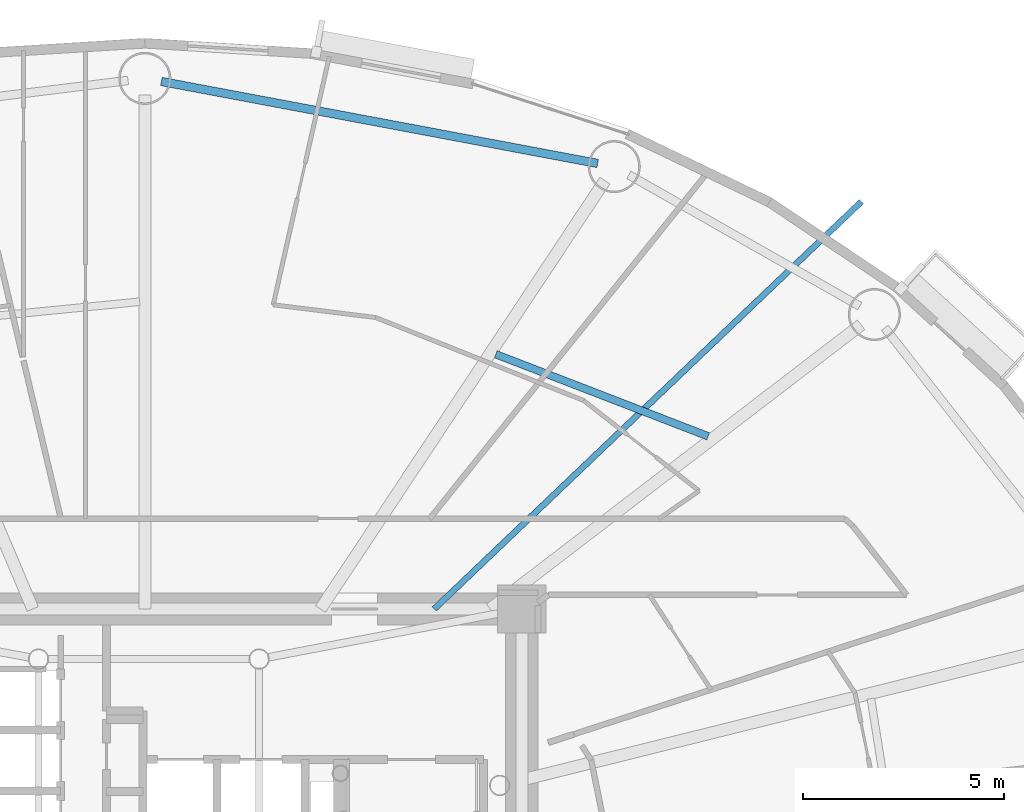
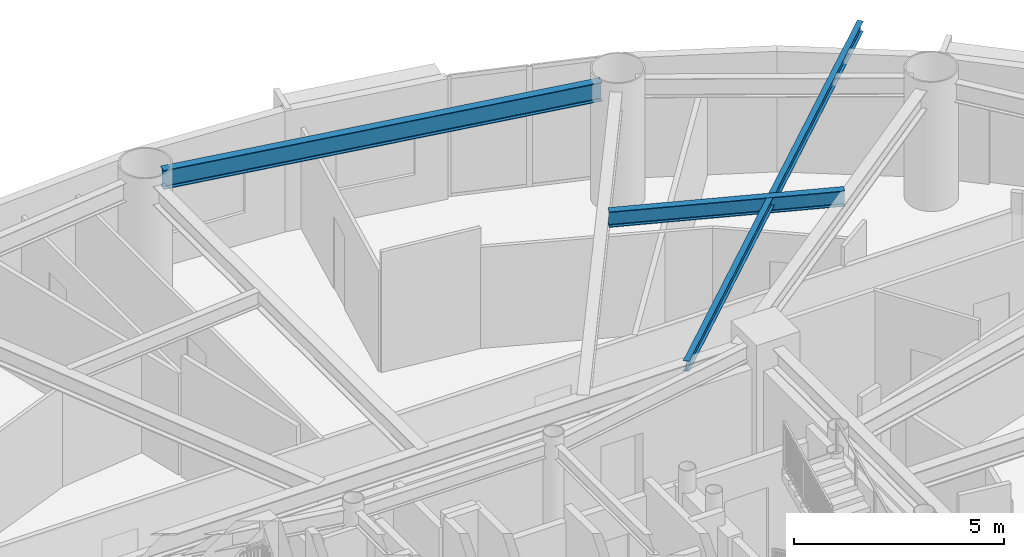
# One storey, part 4 of 18: 3 beams.
"""IFC4 building model written with IfcOpenShell, lengths in metres."""

from ifc_helpers import new_model, si_unit, direction, frame, origin, origin_2d, place, context, subcontext, project, spatial, i_section, extrude, material, material_profile, profile_set, type_object, element, save


model = new_model("IFC4")

# Units and contexts
model_context = context("Model", 3, precision=1e-05, world=origin(), true_north=direction((0.0, 1.0)))
body_context = subcontext(model_context, "Body", "Model", "MODEL_VIEW")
ifc_project = project(units=[si_unit("LENGTHUNIT", "METRE"), si_unit("AREAUNIT", "SQUARE_METRE"), si_unit("VOLUMEUNIT", "CUBIC_METRE"), si_unit("PLANEANGLEUNIT", "RADIAN"), si_unit("MASSUNIT", "GRAM", prefix="KILO")], contexts=[model_context])

# Site, building, storey
site_placement = place(None, origin())
site = spatial("IfcSite", under=ifc_project, at=site_placement, CompositionType="ELEMENT")
building_placement = place(site_placement, origin())
building = spatial("IfcBuilding", under=site, at=building_placement, Name="Linh Dai School and Residence Tower", CompositionType="ELEMENT")
storey_placement = place(building_placement, frame((0.0, 0.0, 159.89990234375)))
storey = spatial("IfcBuildingStorey", under=building, at=storey_placement, Name="L38", CompositionType="ELEMENT", Elevation=159.89990234375)

# Beams
ifc_material = material(Name="Structural Steel S355JR", Category="steel")
ifc_material_profile_1 = material_profile(ifc_material, i_section(OverallWidth=0.14990234375, OverallDepth=0.300048828125, WebThickness=0.007080078125, FlangeThickness=0.0107421875, at=origin_2d()), Name="IPE 300")
ifc_profile_set_1 = profile_set([ifc_material_profile_1], Name="Structural Steel S355JR")
beam_type_1 = type_object("IfcBeamType", Name="BM-BALC-CANT", PredefinedType="BEAM", material=ifc_profile_set_1)
beam_1_placement = place(storey_placement, frame((43.216796875, 33.60009765625, 3.35009765625), z_axis=(0.723729451738, 0.690083821494, 0.0), x_axis=(-0.690083821494, 0.723729451738, 0.0)))
element("IfcBeam", 1, at=beam_1_placement, inside=storey, type_object=beam_type_1, Name="L39 Balcony Continuous Cantilever Beam 06", PredefinedType="BEAM", context=body_context, shape_type="SweptSolid", body=[
    extrude(i_section(OverallWidth=0.14990234375, OverallDepth=0.300048828125, WebThickness=0.007080078125, FlangeThickness=0.0107421875, at=origin_2d()), origin(), (0.0, 0.0, 1.0), 14.715576171875),
])
ifc_material_profile_2 = material_profile(ifc_material, i_section(OverallWidth=0.2099609375, OverallDepth=0.550048828125, WebThickness=0.010986328125, FlangeThickness=0.01708984375, FilletRadius=0.02392578125, at=origin_2d()), Name="IPE 550")
ifc_profile_set_2 = profile_set([ifc_material_profile_2], Name="Structural Steel S355JR")
beam_type_2 = type_object("IfcBeamType", Name="BM-RB55", PredefinedType="BEAM", material=ifc_profile_set_2)
beam_2_placement = place(storey_placement, frame((47.292724609375, 44.70849609375, 3.22509765625), z_axis=(-0.98280721278, 0.184634727255, 0.0), x_axis=(-0.184634727255, -0.98280721278, 0.0)))
element("IfcBeam", 2, at=beam_2_placement, inside=storey, type_object=beam_type_2, Name="L38 Perimeter Elliptical Ring Beam 04", PredefinedType="BEAM", context=body_context, shape_type="SweptSolid", body=[
    extrude(i_section(OverallWidth=0.2099609375, OverallDepth=0.550048828125, WebThickness=0.010986328125, FlangeThickness=0.01708984375, FilletRadius=0.02392578125, at=origin_2d()), origin(), (0.0, 0.0, 1.0), 11.0703125),
])
ifc_material_profile_3 = material_profile(ifc_material, i_section(OverallWidth=0.18994140625, OverallDepth=0.449951171875, WebThickness=0.009521484375, FlangeThickness=0.0146484375, FilletRadius=0.02099609375, at=origin_2d()), Name="IPE 450")
ifc_profile_set_3 = profile_set([ifc_material_profile_3], Name="Structural Steel S355JR")
beam_type_3 = type_object("IfcBeamType", Name="BM-SB45", PredefinedType="BEAM", material=ifc_profile_set_3)
beam_3_placement = place(storey_placement, frame((50.047607421875, 37.905029296875, 3.275146484375), z_axis=(-0.932814887644, 0.360355914881, 0.0), x_axis=(-0.360355914881, -0.932814887644, 0.0)))
element("IfcBeam", 3, at=beam_3_placement, inside=storey, type_object=beam_type_3, Name="L38 Secondary Circumferential Floor Beam 02", PredefinedType="BEAM", context=body_context, shape_type="SweptSolid", body=[
    extrude(i_section(OverallWidth=0.18994140625, OverallDepth=0.449951171875, WebThickness=0.009521484375, FlangeThickness=0.0146484375, FilletRadius=0.02099609375, at=origin_2d()), origin(), (0.0, 0.0, 1.0), 5.67822265625),
])

save(model, "model.ifc")
